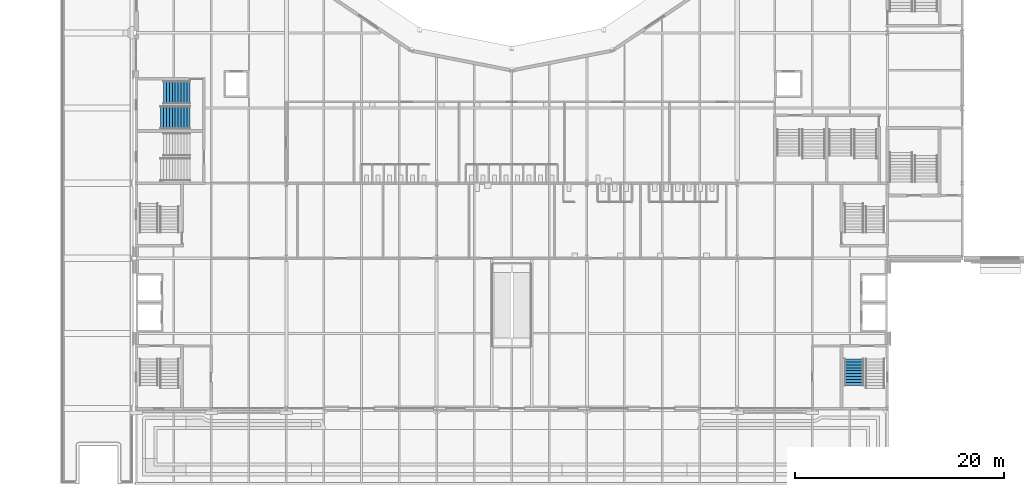
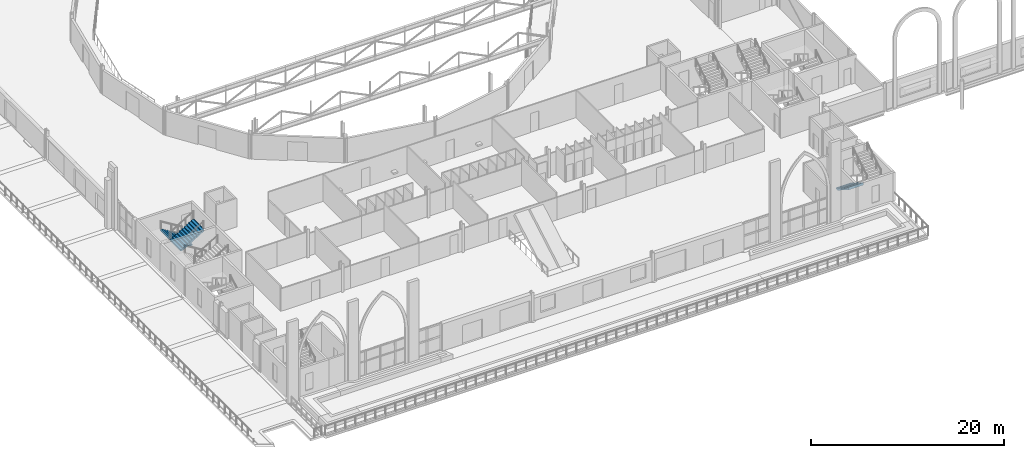
# One storey, part 90 of 143: 3 stair flights, 2 elements without a shape of their own.
"""IFC4 building model written with IfcOpenShell, lengths in metres."""

from ifc_helpers import new_model, si_unit, direction, frame, origin, place, context, subcontext, project, spatial, polyline, outline, extrude, material, type_object, element, aggregate, save


model = new_model("IFC4")

# Units and contexts
model_context = context("Model", 3, precision=1e-05, world=origin(), true_north=direction((0.0, 1.0)))
body_context = subcontext(model_context, "Body", "Model", "MODEL_VIEW")
ifc_project = project(units=[si_unit("LENGTHUNIT", "METRE"), si_unit("AREAUNIT", "SQUARE_METRE"), si_unit("VOLUMEUNIT", "CUBIC_METRE"), si_unit("PLANEANGLEUNIT", "RADIAN"), si_unit("MASSUNIT", "GRAM", prefix="KILO")], contexts=[model_context])

# Site, building, storey
site_placement = place(None, origin())
site = spatial("IfcSite", under=ifc_project, at=site_placement, CompositionType="ELEMENT")
building_placement = place(site_placement, origin())
building = spatial("IfcBuilding", under=site, at=building_placement, Name="Kupolbacken Congress Centre", CompositionType="ELEMENT")
storey_placement = place(building_placement, frame((0.0, 0.0, 7.199951171875)))
storey = spatial("IfcBuildingStorey", under=building, at=storey_placement, Name="L02", CompositionType="ELEMENT", Elevation=7.199951171875)

# Stair, stair flights
ifc_material_1 = material(Name="Concrete C30/37", Category="concrete")
stair_type_1 = type_object("IfcStairType", Name="ST13 stair 2200", PredefinedType="TWO_STRAIGHT_RUN_STAIR", material=ifc_material_1)
stair_1_placement = place(storey_placement, origin())
stair_1 = element("IfcStair", 1, at=stair_1_placement, inside=storey, type_object=stair_type_1, Name="C/stair/PS2SW/L02", PredefinedType="NOTDEFINED")
ifc_material_2 = material(Name="Concrete C30/37", Category="concrete")
stair_flight_type_1 = type_object("IfcStairFlightType", Name="FL13 stair flight 2200 x 10 risers", PredefinedType="STRAIGHT", material=ifc_material_2)
stair_flight_1_placement = place(storey_placement, frame((12.344970703125, 59.10009765625, 0.0), z_axis=(0.0, 0.0, 1.0), x_axis=(-1.0, 0.0, 0.0)))
stair_flight_1 = element("IfcStairFlight", 2, at=stair_flight_1_placement, type_object=stair_flight_type_1, Name="PS2SW flight 1", NumberOfRisers=10, NumberOfTreads=9, PredefinedType="STRAIGHT", RiserHeight=0.171428571, TreadLength=0.28, context=body_context, shape_type="SweptSolid", body=[
    extrude(outline(polyline([(0.0, 0.0), (0.0, 0.0009765625), (0.0, 0.002197265625), (0.0, 0.003173828125), (0.0, 0.004150390625), (0.0, 0.00537109375), (0.0, 0.00634765625), (0.0, 0.007568359375), (0.0, 0.008544921875), (0.0, 0.009521484375), (0.0, 0.0107421875), (0.0, 0.01171875), (0.0, 0.0126953125), (0.0, 0.013916015625), (0.0, 0.014892578125), (0.0, 0.015869140625), (0.0, 0.01708984375), (0.0, 0.01806640625), (0.0, 0.019287109375), (0.0, 0.020263671875), (0.0, 0.021240234375), (0.0, 0.0224609375), (0.0, 0.0234375), (0.0, 0.0244140625), (0.0, 0.025634765625), (0.0, 0.026611328125), (0.0, 0.027587890625), (0.0, 0.02880859375), (0.0, 0.02978515625), (0.0, 0.03076171875), (0.0, 0.031982421875), (0.0, 0.032958984375), (0.0, 0.0341796875), (0.0, 0.03515625), (0.0, 0.0361328125), (0.0, 0.037353515625), (0.0, 0.038330078125), (0.0, 0.039306640625), (0.0, 0.04052734375), (0.0, 0.04150390625), (0.0, 0.04248046875), (0.0, 0.043701171875), (0.0, 0.044677734375), (0.0, 0.0458984375), (0.0, 0.046875), (0.0, 0.0478515625), (0.0, 0.049072265625), (0.0, 0.050048828125), (0.0, 0.051025390625), (0.0, 0.05224609375), (0.0, 0.05322265625), (0.0, 0.05419921875), (0.0, 0.055419921875), (0.0, 0.056396484375), (0.0, 0.0576171875), (0.0, 0.05859375), (0.0, 0.0595703125), (0.0, 0.060791015625), (0.0, 0.061767578125), (0.0, 0.062744140625), (0.0, 0.06396484375), (0.0, 0.06494140625), (0.0, 0.06591796875), (0.0, 0.067138671875), (0.0, 0.068115234375), (0.0, 0.069091796875), (0.0, 0.0703125), (0.0, 0.0712890625), (0.0, 0.072509765625), (0.0, 0.073486328125), (0.0, 0.074462890625), (0.0, 0.07568359375), (0.0, 0.07666015625), (0.0, 0.07763671875), (0.0, 0.078857421875), (0.0, 0.079833984375), (0.0, 0.080810546875), (0.0, 0.08203125), (0.0, 0.0830078125), (0.0, 0.084228515625), (0.0, 0.085205078125), (0.0, 0.086181640625), (0.0, 0.08740234375), (0.0, 0.08837890625), (0.0, 0.08935546875), (0.0, 0.090576171875), (0.0, 0.091552734375), (0.0, 0.092529296875), (0.0, 0.09375), (0.0, 0.0947265625), (0.0, 0.095947265625), (0.0, 0.096923828125), (0.0, 0.097900390625), (0.0, 0.09912109375), (0.0, 0.10009765625), (0.0, 0.10107421875), (0.0, 0.102294921875), (0.0, 0.103271484375), (0.0, 0.104248046875), (0.0, 0.10546875), (0.0, 0.1064453125), (0.0, 0.107421875), (0.0, 0.108642578125), (0.0, 0.109619140625), (0.0, 0.11083984375), (0.0, 0.11181640625), (0.0, 0.11279296875), (0.0, 0.114013671875), (0.0, 0.114990234375), (0.0, 0.115966796875), (0.0, 0.1171875), (0.0, 0.1181640625), (0.0, 0.119140625), (0.0, 0.120361328125), (0.0, 0.121337890625), (0.0, 0.12255859375), (0.0, 0.12353515625), (0.0, 0.12451171875), (0.0, 0.125732421875), (0.0, 0.126708984375), (0.0, 0.127685546875), (0.0, 0.12890625), (0.0, 0.1298828125), (0.0, 0.130859375), (0.0, 0.132080078125), (0.0, 0.133056640625), (0.0, 0.13427734375), (0.0, 0.13525390625), (0.0, 0.13623046875), (0.0, 0.137451171875), (0.0, 0.138427734375), (0.0, 0.139404296875), (0.0, 0.140625), (0.0, 0.1416015625), (0.0, 0.142578125), (0.0, 0.143798828125), (0.0, 0.144775390625), (0.0, 0.145751953125), (0.0, 0.14697265625), (0.0, 0.14794921875), (0.0, 0.149169921875), (0.0, 0.150146484375), (0.0, 0.151123046875), (0.0, 0.15234375), (0.0, 0.1533203125), (0.0, 0.154296875), (0.0, 0.155517578125), (0.0, 0.156494140625), (0.0, 0.157470703125), (0.0, 0.15869140625), (0.0, 0.15966796875), (0.0, 0.160888671875), (0.0, 0.161865234375), (0.0, 0.162841796875), (0.0, 0.1640625), (0.0, 0.1650390625), (0.0, 0.166015625), (0.0, 0.167236328125), (0.0, 0.168212890625), (0.0, 0.169189453125), (0.0, 0.17041015625), (0.0, 0.17138671875), (0.280029296875, 0.17138671875), (0.280029296875, 0.3427734375), (0.56005859375, 0.3427734375), (0.56005859375, 0.514404296875), (0.840087890625, 0.514404296875), (0.840087890625, 0.685791015625), (1.1201171875, 0.685791015625), (1.1201171875, 0.857177734375), (1.39990234375, 0.857177734375), (1.39990234375, 1.028564453125), (1.679931640625, 1.028564453125), (1.679931640625, 1.199951171875), (1.9599609375, 1.199951171875), (1.9599609375, 1.371337890625), (2.239990234375, 1.371337890625), (2.239990234375, 1.54296875), (2.52001953125, 1.54296875), (2.52001953125, 1.71435546875), (2.52197265625, 1.71435546875), (2.52197265625, 1.712158203125), (2.52197265625, 1.7099609375), (2.52197265625, 1.707763671875), (2.52197265625, 1.70556640625), (2.52197265625, 1.70361328125), (2.52197265625, 1.701416015625), (2.52197265625, 1.69921875), (2.52197265625, 1.697021484375), (2.52197265625, 1.69482421875), (2.52197265625, 1.692626953125), (2.52197265625, 1.690673828125), (2.52197265625, 1.6884765625), (2.52197265625, 1.686279296875), (2.52197265625, 1.68408203125), (2.52197265625, 1.681884765625), (2.52197265625, 1.6796875), (2.52197265625, 1.677734375), (2.52197265625, 1.675537109375), (2.52197265625, 1.67333984375), (2.52197265625, 1.671142578125), (2.52197265625, 1.6689453125), (2.52197265625, 1.666748046875), (2.52197265625, 1.664794921875), (2.52197265625, 1.66259765625), (2.52197265625, 1.660400390625), (2.52197265625, 1.658203125), (2.52197265625, 1.656005859375), (2.52197265625, 1.65380859375), (2.52197265625, 1.65185546875), (2.52197265625, 1.649658203125), (2.52197265625, 1.6474609375), (2.52197265625, 1.645263671875), (2.52197265625, 1.64306640625), (2.52197265625, 1.640869140625), (2.52197265625, 1.638916015625), (2.52197265625, 1.63671875), (2.52197265625, 1.634521484375), (2.52197265625, 1.63232421875), (2.52197265625, 1.630126953125), (2.52197265625, 1.6279296875), (2.52197265625, 1.6259765625), (2.52197265625, 1.623779296875), (2.52197265625, 1.62158203125), (2.52197265625, 1.619384765625), (2.52197265625, 1.6171875), (2.52197265625, 1.614990234375), (2.52197265625, 1.613037109375), (2.52197265625, 1.61083984375), (2.52197265625, 1.608642578125), (2.52197265625, 1.6064453125), (2.52197265625, 1.604248046875), (2.52197265625, 1.60205078125), (2.52197265625, 1.60009765625), (2.52197265625, 1.597900390625), (2.52197265625, 1.595703125), (2.52197265625, 1.593505859375), (2.52197265625, 1.59130859375), (2.52197265625, 1.589111328125), (2.52197265625, 1.587158203125), (2.52197265625, 1.5849609375), (2.52197265625, 1.582763671875), (2.52197265625, 1.58056640625), (2.52197265625, 1.578369140625), (2.52197265625, 1.576171875), (2.52197265625, 1.57421875), (2.52197265625, 1.572021484375), (2.52197265625, 1.56982421875), (2.52197265625, 1.567626953125), (2.52197265625, 1.5654296875), (2.52197265625, 1.563232421875), (2.52197265625, 1.561279296875), (2.52197265625, 1.55908203125), (2.52197265625, 1.556884765625), (2.52197265625, 1.5546875), (2.52197265625, 1.552490234375), (2.52197265625, 1.55029296875), (2.52197265625, 1.54833984375), (2.52197265625, 1.546142578125), (2.52197265625, 1.5439453125), (2.52197265625, 1.541748046875), (2.52197265625, 1.53955078125), (2.52197265625, 1.537353515625), (2.52197265625, 1.535400390625), (2.52197265625, 1.533203125), (2.52197265625, 1.531005859375), (2.52197265625, 1.52880859375), (2.52197265625, 1.526611328125), (2.52197265625, 1.5244140625), (2.52197265625, 1.5224609375), (2.52197265625, 1.520263671875), (2.52197265625, 1.51806640625), (2.52197265625, 1.515869140625), (2.52197265625, 1.513671875), (2.52197265625, 1.511474609375), (2.52197265625, 1.509521484375), (2.52197265625, 1.50732421875), (2.52197265625, 1.505126953125), (2.52197265625, 1.5029296875), (2.52197265625, 1.500732421875), (2.52197265625, 1.49853515625), (2.52197265625, 1.49658203125), (2.52197265625, 1.494384765625), (2.52197265625, 1.4921875), (2.52197265625, 1.489990234375), (2.52197265625, 1.48779296875), (2.52197265625, 1.485595703125), (2.52197265625, 1.483642578125), (2.52197265625, 1.4814453125), (2.52197265625, 1.479248046875), (2.52197265625, 1.47705078125), (2.52197265625, 1.474853515625), (2.52197265625, 1.47265625), (2.52197265625, 1.470703125), (2.52197265625, 1.468505859375), (2.52197265625, 1.46630859375), (2.52197265625, 1.464111328125), (2.52197265625, 1.4619140625), (2.52197265625, 1.459716796875), (2.52197265625, 1.457763671875), (2.52197265625, 1.45556640625), (2.52197265625, 1.453369140625), (2.52197265625, 1.451171875), (2.52197265625, 1.448974609375), (2.52197265625, 1.44677734375), (2.52197265625, 1.44482421875), (2.52197265625, 1.442626953125), (2.52197265625, 1.4404296875), (2.52197265625, 1.438232421875), (2.52197265625, 1.43603515625), (2.52197265625, 1.433837890625), (2.52197265625, 1.431884765625), (2.52197265625, 1.4296875), (2.52197265625, 1.427490234375), (2.52197265625, 1.42529296875), (2.52197265625, 1.423095703125), (2.52197265625, 1.4208984375), (2.52197265625, 1.4189453125), (2.52197265625, 1.416748046875), (2.52197265625, 1.41455078125), (2.52197265625, 1.412353515625), (2.52197265625, 1.41015625), (2.52197265625, 1.407958984375), (2.52197265625, 1.406005859375), (2.52197265625, 1.40380859375), (2.52197265625, 1.401611328125), (2.52197265625, 1.3994140625), (2.52197265625, 1.397216796875), (2.52197265625, 1.39501953125), (2.52197265625, 1.39306640625), (2.52197265625, 1.390869140625), (2.52197265625, 1.388671875), (2.52197265625, 1.386474609375), (2.52197265625, 1.38427734375), (2.52197265625, 1.382080078125), (2.52197265625, 1.380126953125), (2.52197265625, 1.3779296875), (2.52197265625, 1.375732421875), (2.52197265625, 1.37353515625), (2.52197265625, 1.371337890625), (2.52197265625, 1.369140625), (2.52197265625, 1.3671875), (0.2890625, 0.0), (0.0, 0.0)])), frame((0.0, 1.10009765625, 0.0), z_axis=(0.0, -1.0, 0.0), x_axis=(1.0, 0.0, 0.0)), (0.0, 0.0, 1.0), 2.199951171875),
])
ifc_material_3 = material(Name="Concrete C30/37", Category="concrete")
stair_flight_type_2 = type_object("IfcStairFlightType", Name="FL14 stair flight 2200 x 11 risers", PredefinedType="STRAIGHT", material=ifc_material_3)
stair_flight_2_placement = place(storey_placement, frame((9.544921875, 56.699951171875, 1.71435546875), z_axis=(0.0, 0.0, 1.0), x_axis=(1.0, 0.0, 0.0)))
stair_flight_2 = element("IfcStairFlight", 3, at=stair_flight_2_placement, type_object=stair_flight_type_2, Name="PS2SW flight 2", NumberOfRisers=11, NumberOfTreads=10, PredefinedType="STRAIGHT", RiserHeight=0.171428571, TreadLength=0.28, context=body_context, shape_type="SweptSolid", body=[
    extrude(outline(polyline([(0.0, 0.0), (0.0, 0.0009765625), (0.0, 0.002197265625), (0.0, 0.003173828125), (0.0, 0.004150390625), (0.0, 0.00537109375), (0.0, 0.00634765625), (0.0, 0.007568359375), (0.0, 0.008544921875), (0.0, 0.009521484375), (0.0, 0.0107421875), (0.0, 0.01171875), (0.0, 0.0126953125), (0.0, 0.013916015625), (0.0, 0.014892578125), (0.0, 0.015869140625), (0.0, 0.01708984375), (0.0, 0.01806640625), (0.0, 0.019287109375), (0.0, 0.020263671875), (0.0, 0.021240234375), (0.0, 0.0224609375), (0.0, 0.0234375), (0.0, 0.0244140625), (0.0, 0.025634765625), (0.0, 0.026611328125), (0.0, 0.027587890625), (0.0, 0.02880859375), (0.0, 0.02978515625), (0.0, 0.03076171875), (0.0, 0.031982421875), (0.0, 0.032958984375), (0.0, 0.0341796875), (0.0, 0.03515625), (0.0, 0.0361328125), (0.0, 0.037353515625), (0.0, 0.038330078125), (0.0, 0.039306640625), (0.0, 0.04052734375), (0.0, 0.04150390625), (0.0, 0.04248046875), (0.0, 0.043701171875), (0.0, 0.044677734375), (0.0, 0.0458984375), (0.0, 0.046875), (0.0, 0.0478515625), (0.0, 0.049072265625), (0.0, 0.050048828125), (0.0, 0.051025390625), (0.0, 0.05224609375), (0.0, 0.05322265625), (0.0, 0.05419921875), (0.0, 0.055419921875), (0.0, 0.056396484375), (0.0, 0.0576171875), (0.0, 0.05859375), (0.0, 0.0595703125), (0.0, 0.060791015625), (0.0, 0.061767578125), (0.0, 0.062744140625), (0.0, 0.06396484375), (0.0, 0.06494140625), (0.0, 0.06591796875), (0.0, 0.067138671875), (0.0, 0.068115234375), (0.0, 0.069091796875), (0.0, 0.0703125), (0.0, 0.0712890625), (0.0, 0.072509765625), (0.0, 0.073486328125), (0.0, 0.074462890625), (0.0, 0.07568359375), (0.0, 0.07666015625), (0.0, 0.07763671875), (0.0, 0.078857421875), (0.0, 0.079833984375), (0.0, 0.080810546875), (0.0, 0.08203125), (0.0, 0.0830078125), (0.0, 0.084228515625), (0.0, 0.085205078125), (0.0, 0.086181640625), (0.0, 0.08740234375), (0.0, 0.08837890625), (0.0, 0.08935546875), (0.0, 0.090576171875), (0.0, 0.091552734375), (0.0, 0.092529296875), (0.0, 0.09375), (0.0, 0.0947265625), (0.0, 0.095947265625), (0.0, 0.096923828125), (0.0, 0.097900390625), (0.0, 0.09912109375), (0.0, 0.10009765625), (0.0, 0.10107421875), (0.0, 0.102294921875), (0.0, 0.103271484375), (0.0, 0.104248046875), (0.0, 0.10546875), (0.0, 0.1064453125), (0.0, 0.107421875), (0.0, 0.108642578125), (0.0, 0.109619140625), (0.0, 0.11083984375), (0.0, 0.11181640625), (0.0, 0.11279296875), (0.0, 0.114013671875), (0.0, 0.114990234375), (0.0, 0.115966796875), (0.0, 0.1171875), (0.0, 0.1181640625), (0.0, 0.119140625), (0.0, 0.120361328125), (0.0, 0.121337890625), (0.0, 0.12255859375), (0.0, 0.12353515625), (0.0, 0.12451171875), (0.0, 0.125732421875), (0.0, 0.126708984375), (0.0, 0.127685546875), (0.0, 0.12890625), (0.0, 0.1298828125), (0.0, 0.130859375), (0.0, 0.132080078125), (0.0, 0.133056640625), (0.0, 0.13427734375), (0.0, 0.13525390625), (0.0, 0.13623046875), (0.0, 0.137451171875), (0.0, 0.138427734375), (0.0, 0.139404296875), (0.0, 0.140625), (0.0, 0.1416015625), (0.0, 0.142578125), (0.0, 0.143798828125), (0.0, 0.144775390625), (0.0, 0.145751953125), (0.0, 0.14697265625), (0.0, 0.14794921875), (0.0, 0.149169921875), (0.0, 0.150146484375), (0.0, 0.151123046875), (0.0, 0.15234375), (0.0, 0.1533203125), (0.0, 0.154296875), (0.0, 0.155517578125), (0.0, 0.156494140625), (0.0, 0.157470703125), (0.0, 0.15869140625), (0.0, 0.15966796875), (0.0, 0.160888671875), (0.0, 0.161865234375), (0.0, 0.162841796875), (0.0, 0.1640625), (0.0, 0.1650390625), (0.0, 0.166015625), (0.0, 0.167236328125), (0.0, 0.168212890625), (0.0, 0.169189453125), (0.0, 0.17041015625), (0.0, 0.17138671875), (0.280029296875, 0.17138671875), (0.280029296875, 0.3427734375), (0.56005859375, 0.3427734375), (0.56005859375, 0.514404296875), (0.840087890625, 0.514404296875), (0.840087890625, 0.685791015625), (1.1201171875, 0.685791015625), (1.1201171875, 0.857177734375), (1.39990234375, 0.857177734375), (1.39990234375, 1.028564453125), (1.679931640625, 1.028564453125), (1.679931640625, 1.199951171875), (1.9599609375, 1.199951171875), (1.9599609375, 1.371337890625), (2.239990234375, 1.371337890625), (2.239990234375, 1.54296875), (2.52001953125, 1.54296875), (2.52001953125, 1.71435546875), (2.800048828125, 1.71435546875), (2.800048828125, 1.8857421875), (2.802001953125, 1.8857421875), (2.802001953125, 1.883544921875), (2.802001953125, 1.88134765625), (2.802001953125, 1.879150390625), (2.802001953125, 1.877197265625), (2.802001953125, 1.875), (2.802001953125, 1.872802734375), (2.802001953125, 1.87060546875), (2.802001953125, 1.868408203125), (2.802001953125, 1.8662109375), (2.802001953125, 1.8642578125), (2.802001953125, 1.862060546875), (2.802001953125, 1.85986328125), (2.802001953125, 1.857666015625), (2.802001953125, 1.85546875), (2.802001953125, 1.853271484375), (2.802001953125, 1.851318359375), (2.802001953125, 1.84912109375), (2.802001953125, 1.846923828125), (2.802001953125, 1.8447265625), (2.802001953125, 1.842529296875), (2.802001953125, 1.84033203125), (2.802001953125, 1.83837890625), (2.802001953125, 1.836181640625), (2.802001953125, 1.833984375), (2.802001953125, 1.831787109375), (2.802001953125, 1.82958984375), (2.802001953125, 1.827392578125), (2.802001953125, 1.825439453125), (2.802001953125, 1.8232421875), (2.802001953125, 1.821044921875), (2.802001953125, 1.81884765625), (2.802001953125, 1.816650390625), (2.802001953125, 1.814453125), (2.802001953125, 1.8125), (2.802001953125, 1.810302734375), (2.802001953125, 1.80810546875), (2.802001953125, 1.805908203125), (2.802001953125, 1.8037109375), (2.802001953125, 1.801513671875), (2.802001953125, 1.799560546875), (2.802001953125, 1.79736328125), (2.802001953125, 1.795166015625), (2.802001953125, 1.79296875), (2.802001953125, 1.790771484375), (2.802001953125, 1.78857421875), (2.802001953125, 1.78662109375), (2.802001953125, 1.784423828125), (2.802001953125, 1.7822265625), (2.802001953125, 1.780029296875), (2.802001953125, 1.77783203125), (2.802001953125, 1.775634765625), (2.802001953125, 1.773681640625), (2.802001953125, 1.771484375), (2.802001953125, 1.769287109375), (2.802001953125, 1.76708984375), (2.802001953125, 1.764892578125), (2.802001953125, 1.7626953125), (2.802001953125, 1.7607421875), (2.802001953125, 1.758544921875), (2.802001953125, 1.75634765625), (2.802001953125, 1.754150390625), (2.802001953125, 1.751953125), (2.802001953125, 1.749755859375), (2.802001953125, 1.747802734375), (2.802001953125, 1.74560546875), (2.802001953125, 1.743408203125), (2.802001953125, 1.7412109375), (2.802001953125, 1.739013671875), (2.802001953125, 1.73681640625), (2.802001953125, 1.73486328125), (2.802001953125, 1.732666015625), (2.802001953125, 1.73046875), (2.802001953125, 1.728271484375), (2.802001953125, 1.72607421875), (2.802001953125, 1.723876953125), (2.802001953125, 1.721923828125), (2.802001953125, 1.7197265625), (2.802001953125, 1.717529296875), (2.802001953125, 1.71533203125), (2.802001953125, 1.713134765625), (2.802001953125, 1.7109375), (2.802001953125, 1.708984375), (2.802001953125, 1.706787109375), (2.802001953125, 1.70458984375), (2.802001953125, 1.702392578125), (2.802001953125, 1.7001953125), (2.802001953125, 1.697998046875), (2.802001953125, 1.696044921875), (2.802001953125, 1.69384765625), (2.802001953125, 1.691650390625), (2.802001953125, 1.689453125), (2.802001953125, 1.687255859375), (2.802001953125, 1.68505859375), (2.802001953125, 1.68310546875), (2.802001953125, 1.680908203125), (2.802001953125, 1.6787109375), (2.802001953125, 1.676513671875), (2.802001953125, 1.67431640625), (2.802001953125, 1.672119140625), (2.802001953125, 1.670166015625), (2.802001953125, 1.66796875), (2.802001953125, 1.665771484375), (2.802001953125, 1.66357421875), (2.802001953125, 1.661376953125), (2.802001953125, 1.6591796875), (2.802001953125, 1.6572265625), (2.802001953125, 1.655029296875), (2.802001953125, 1.65283203125), (2.802001953125, 1.650634765625), (2.802001953125, 1.6484375), (2.802001953125, 1.646240234375), (2.802001953125, 1.644287109375), (2.802001953125, 1.64208984375), (2.802001953125, 1.639892578125), (2.802001953125, 1.6376953125), (2.802001953125, 1.635498046875), (2.802001953125, 1.63330078125), (2.802001953125, 1.63134765625), (2.802001953125, 1.629150390625), (2.802001953125, 1.626953125), (2.802001953125, 1.624755859375), (2.802001953125, 1.62255859375), (2.802001953125, 1.620361328125), (2.802001953125, 1.618408203125), (2.802001953125, 1.6162109375), (2.802001953125, 1.614013671875), (2.802001953125, 1.61181640625), (2.802001953125, 1.609619140625), (2.802001953125, 1.607421875), (2.802001953125, 1.60546875), (2.802001953125, 1.603271484375), (2.802001953125, 1.60107421875), (2.802001953125, 1.598876953125), (2.802001953125, 1.5966796875), (2.802001953125, 1.594482421875), (2.802001953125, 1.592529296875), (2.802001953125, 1.59033203125), (2.802001953125, 1.588134765625), (2.802001953125, 1.5859375), (2.802001953125, 1.583740234375), (2.802001953125, 1.58154296875), (2.802001953125, 1.57958984375), (2.802001953125, 1.577392578125), (2.802001953125, 1.5751953125), (2.802001953125, 1.572998046875), (2.802001953125, 1.57080078125), (2.802001953125, 1.568603515625), (2.802001953125, 1.566650390625), (2.802001953125, 1.564453125), (2.802001953125, 1.562255859375), (2.802001953125, 1.56005859375), (2.802001953125, 1.557861328125), (2.802001953125, 1.5556640625), (2.802001953125, 1.5537109375), (2.802001953125, 1.551513671875), (2.802001953125, 1.54931640625), (2.802001953125, 1.547119140625), (2.802001953125, 1.544921875), (2.802001953125, 1.542724609375), (2.802001953125, 1.540771484375), (2.802001953125, 1.53857421875), (0.2890625, 0.0), (0.0, 0.0)])), frame((0.0, 1.10009765625, 0.0), z_axis=(0.0, -1.0, 0.0), x_axis=(1.0, 0.0, 0.0)), (0.0, 0.0, 1.0), 2.199951171875),
])
aggregate(stair_1, [stair_flight_1, stair_flight_2])

# Stair, stair flight
ifc_material_4 = material(Name="Steel S355", Category="steel")
stair_type_2 = type_object("IfcStairType", Name="ST3 stair 1800", PredefinedType="TWO_STRAIGHT_RUN_STAIR", material=ifc_material_4)
stair_2_placement = place(storey_placement, origin())
stair_2 = element("IfcStair", 4, at=stair_2_placement, inside=storey, type_object=stair_type_2, Name="C/stair/FS1E/L02", PredefinedType="NOTDEFINED")
ifc_material_5 = material(Name="Steel S355", Category="steel")
stair_flight_type_3 = type_object("IfcStairFlightType", Name="FL5 stair flight 1800 x 10 risers", PredefinedType="STRAIGHT", material=ifc_material_5)
stair_flight_3_placement = place(storey_placement, frame((76.0, 33.544921875, 0.0), z_axis=(0.0, 0.0, 1.0), x_axis=(0.0, -1.0, 0.0)))
stair_flight_3 = element("IfcStairFlight", 5, at=stair_flight_3_placement, type_object=stair_flight_type_3, Name="FS1E flight 1", NumberOfRisers=10, NumberOfTreads=9, PredefinedType="STRAIGHT", RiserHeight=0.171428571, TreadLength=0.28, context=body_context, shape_type="SweptSolid", body=[
    extrude(outline(polyline([(0.0, 0.0), (0.0, 0.0009765625), (0.0, 0.002197265625), (0.0, 0.003173828125), (0.0, 0.004150390625), (0.0, 0.00537109375), (0.0, 0.00634765625), (0.0, 0.007568359375), (0.0, 0.008544921875), (0.0, 0.009521484375), (0.0, 0.0107421875), (0.0, 0.01171875), (0.0, 0.0126953125), (0.0, 0.013916015625), (0.0, 0.014892578125), (0.0, 0.015869140625), (0.0, 0.01708984375), (0.0, 0.01806640625), (0.0, 0.019287109375), (0.0, 0.020263671875), (0.0, 0.021240234375), (0.0, 0.0224609375), (0.0, 0.0234375), (0.0, 0.0244140625), (0.0, 0.025634765625), (0.0, 0.026611328125), (0.0, 0.027587890625), (0.0, 0.02880859375), (0.0, 0.02978515625), (0.0, 0.03076171875), (0.0, 0.031982421875), (0.0, 0.032958984375), (0.0, 0.0341796875), (0.0, 0.03515625), (0.0, 0.0361328125), (0.0, 0.037353515625), (0.0, 0.038330078125), (0.0, 0.039306640625), (0.0, 0.04052734375), (0.0, 0.04150390625), (0.0, 0.04248046875), (0.0, 0.043701171875), (0.0, 0.044677734375), (0.0, 0.0458984375), (0.0, 0.046875), (0.0, 0.0478515625), (0.0, 0.049072265625), (0.0, 0.050048828125), (0.0, 0.051025390625), (0.0, 0.05224609375), (0.0, 0.05322265625), (0.0, 0.05419921875), (0.0, 0.055419921875), (0.0, 0.056396484375), (0.0, 0.0576171875), (0.0, 0.05859375), (0.0, 0.0595703125), (0.0, 0.060791015625), (0.0, 0.061767578125), (0.0, 0.062744140625), (0.0, 0.06396484375), (0.0, 0.06494140625), (0.0, 0.06591796875), (0.0, 0.067138671875), (0.0, 0.068115234375), (0.0, 0.069091796875), (0.0, 0.0703125), (0.0, 0.0712890625), (0.0, 0.072509765625), (0.0, 0.073486328125), (0.0, 0.074462890625), (0.0, 0.07568359375), (0.0, 0.07666015625), (0.0, 0.07763671875), (0.0, 0.078857421875), (0.0, 0.079833984375), (0.0, 0.080810546875), (0.0, 0.08203125), (0.0, 0.0830078125), (0.0, 0.084228515625), (0.0, 0.085205078125), (0.0, 0.086181640625), (0.0, 0.08740234375), (0.0, 0.08837890625), (0.0, 0.08935546875), (0.0, 0.090576171875), (0.0, 0.091552734375), (0.0, 0.092529296875), (0.0, 0.09375), (0.0, 0.0947265625), (0.0, 0.095947265625), (0.0, 0.096923828125), (0.0, 0.097900390625), (0.0, 0.09912109375), (0.0, 0.10009765625), (0.0, 0.10107421875), (0.0, 0.102294921875), (0.0, 0.103271484375), (0.0, 0.104248046875), (0.0, 0.10546875), (0.0, 0.1064453125), (0.0, 0.107421875), (0.0, 0.108642578125), (0.0, 0.109619140625), (0.0, 0.11083984375), (0.0, 0.11181640625), (0.0, 0.11279296875), (0.0, 0.114013671875), (0.0, 0.114990234375), (0.0, 0.115966796875), (0.0, 0.1171875), (0.0, 0.1181640625), (0.0, 0.119140625), (0.0, 0.120361328125), (0.0, 0.121337890625), (0.0, 0.12255859375), (0.0, 0.12353515625), (0.0, 0.12451171875), (0.0, 0.125732421875), (0.0, 0.126708984375), (0.0, 0.127685546875), (0.0, 0.12890625), (0.0, 0.1298828125), (0.0, 0.130859375), (0.0, 0.132080078125), (0.0, 0.133056640625), (0.0, 0.13427734375), (0.0, 0.13525390625), (0.0, 0.13623046875), (0.0, 0.137451171875), (0.0, 0.138427734375), (0.0, 0.139404296875), (0.0, 0.140625), (0.0, 0.1416015625), (0.0, 0.142578125), (0.0, 0.143798828125), (0.0, 0.144775390625), (0.0, 0.145751953125), (0.0, 0.14697265625), (0.0, 0.14794921875), (0.0, 0.149169921875), (0.0, 0.150146484375), (0.0, 0.151123046875), (0.0, 0.15234375), (0.0, 0.1533203125), (0.0, 0.154296875), (0.0, 0.155517578125), (0.0, 0.156494140625), (0.0, 0.157470703125), (0.0, 0.15869140625), (0.0, 0.15966796875), (0.0, 0.160888671875), (0.0, 0.161865234375), (0.0, 0.162841796875), (0.0, 0.1640625), (0.0, 0.1650390625), (0.0, 0.166015625), (0.0, 0.167236328125), (0.0, 0.168212890625), (0.0, 0.169189453125), (0.0, 0.17041015625), (0.0, 0.17138671875), (0.280029296875, 0.17138671875), (0.280029296875, 0.3427734375), (0.56005859375, 0.3427734375), (0.56005859375, 0.514404296875), (0.840087890625, 0.514404296875), (0.840087890625, 0.685791015625), (1.1201171875, 0.685791015625), (1.1201171875, 0.857177734375), (1.39990234375, 0.857177734375), (1.39990234375, 1.028564453125), (1.679931640625, 1.028564453125), (1.679931640625, 1.199951171875), (1.9599609375, 1.199951171875), (1.9599609375, 1.371337890625), (2.239990234375, 1.371337890625), (2.239990234375, 1.54296875), (2.52001953125, 1.54296875), (2.52001953125, 1.71435546875), (2.52197265625, 1.71435546875), (2.52197265625, 1.712158203125), (2.52197265625, 1.7099609375), (2.52197265625, 1.707763671875), (2.52197265625, 1.70556640625), (2.52197265625, 1.70361328125), (2.52197265625, 1.701416015625), (2.52197265625, 1.69921875), (2.52197265625, 1.697021484375), (2.52197265625, 1.69482421875), (2.52197265625, 1.692626953125), (2.52197265625, 1.690673828125), (2.52197265625, 1.6884765625), (2.52197265625, 1.686279296875), (2.52197265625, 1.68408203125), (2.52197265625, 1.681884765625), (2.52197265625, 1.6796875), (2.52197265625, 1.677734375), (2.52197265625, 1.675537109375), (2.52197265625, 1.67333984375), (2.52197265625, 1.671142578125), (2.52197265625, 1.6689453125), (2.52197265625, 1.666748046875), (2.52197265625, 1.664794921875), (2.52197265625, 1.66259765625), (2.52197265625, 1.660400390625), (2.52197265625, 1.658203125), (2.52197265625, 1.656005859375), (2.52197265625, 1.65380859375), (2.52197265625, 1.65185546875), (2.52197265625, 1.649658203125), (2.52197265625, 1.6474609375), (2.52197265625, 1.645263671875), (2.52197265625, 1.64306640625), (2.52197265625, 1.640869140625), (2.52197265625, 1.638916015625), (2.52197265625, 1.63671875), (2.52197265625, 1.634521484375), (2.52197265625, 1.63232421875), (2.52197265625, 1.630126953125), (2.52197265625, 1.6279296875), (2.52197265625, 1.6259765625), (2.52197265625, 1.623779296875), (2.52197265625, 1.62158203125), (2.52197265625, 1.619384765625), (2.52197265625, 1.6171875), (2.52197265625, 1.614990234375), (2.52197265625, 1.613037109375), (2.52197265625, 1.61083984375), (2.52197265625, 1.608642578125), (2.52197265625, 1.6064453125), (2.52197265625, 1.604248046875), (2.52197265625, 1.60205078125), (2.52197265625, 1.60009765625), (2.52197265625, 1.597900390625), (2.52197265625, 1.595703125), (2.52197265625, 1.593505859375), (2.52197265625, 1.59130859375), (2.52197265625, 1.589111328125), (2.52197265625, 1.587158203125), (2.52197265625, 1.5849609375), (2.52197265625, 1.582763671875), (2.52197265625, 1.58056640625), (2.52197265625, 1.578369140625), (2.52197265625, 1.576171875), (2.52197265625, 1.57421875), (2.52197265625, 1.572021484375), (2.52197265625, 1.56982421875), (2.52197265625, 1.567626953125), (2.52197265625, 1.5654296875), (2.52197265625, 1.563232421875), (2.52197265625, 1.561279296875), (2.52197265625, 1.55908203125), (2.52197265625, 1.556884765625), (2.52197265625, 1.5546875), (2.52197265625, 1.552490234375), (2.52197265625, 1.55029296875), (2.52197265625, 1.54833984375), (2.52197265625, 1.546142578125), (2.52197265625, 1.5439453125), (2.52197265625, 1.541748046875), (2.52197265625, 1.53955078125), (2.52197265625, 1.537353515625), (2.52197265625, 1.535400390625), (2.52197265625, 1.533203125), (2.52197265625, 1.531005859375), (2.52197265625, 1.52880859375), (2.52197265625, 1.526611328125), (2.52197265625, 1.5244140625), (2.52197265625, 1.5224609375), (2.52197265625, 1.520263671875), (2.52197265625, 1.51806640625), (2.52197265625, 1.515869140625), (2.52197265625, 1.513671875), (2.52197265625, 1.511474609375), (2.52197265625, 1.509521484375), (2.52197265625, 1.50732421875), (2.52197265625, 1.505126953125), (2.52197265625, 1.5029296875), (2.52197265625, 1.500732421875), (2.52197265625, 1.49853515625), (2.52197265625, 1.49658203125), (2.52197265625, 1.494384765625), (2.52197265625, 1.4921875), (2.52197265625, 1.489990234375), (2.52197265625, 1.48779296875), (2.52197265625, 1.485595703125), (2.52197265625, 1.483642578125), (2.52197265625, 1.4814453125), (2.52197265625, 1.479248046875), (2.52197265625, 1.47705078125), (2.52197265625, 1.474853515625), (2.52197265625, 1.47265625), (2.52197265625, 1.470703125), (2.52197265625, 1.468505859375), (2.52197265625, 1.46630859375), (2.52197265625, 1.464111328125), (2.52197265625, 1.4619140625), (2.52197265625, 1.459716796875), (2.52197265625, 1.457763671875), (2.52197265625, 1.45556640625), (2.52197265625, 1.453369140625), (2.52197265625, 1.451171875), (2.52197265625, 1.448974609375), (2.52197265625, 1.44677734375), (2.52197265625, 1.44482421875), (2.52197265625, 1.442626953125), (2.52197265625, 1.4404296875), (2.52197265625, 1.438232421875), (2.52197265625, 1.43603515625), (2.52197265625, 1.433837890625), (2.52197265625, 1.431884765625), (2.52197265625, 1.4296875), (2.52197265625, 1.427490234375), (2.52197265625, 1.42529296875), (2.52197265625, 1.423095703125), (2.52197265625, 1.4208984375), (2.52197265625, 1.4189453125), (2.52197265625, 1.416748046875), (2.52197265625, 1.41455078125), (2.52197265625, 1.412353515625), (2.52197265625, 1.41015625), (2.52197265625, 1.407958984375), (2.52197265625, 1.406005859375), (2.52197265625, 1.40380859375), (2.52197265625, 1.401611328125), (2.52197265625, 1.3994140625), (2.52197265625, 1.397216796875), (2.52197265625, 1.39501953125), (2.52197265625, 1.39306640625), (2.52197265625, 1.390869140625), (2.52197265625, 1.388671875), (2.52197265625, 1.386474609375), (2.52197265625, 1.38427734375), (2.52197265625, 1.382080078125), (2.52197265625, 1.380126953125), (2.52197265625, 1.3779296875), (2.52197265625, 1.375732421875), (2.52197265625, 1.37353515625), (2.52197265625, 1.371337890625), (2.52197265625, 1.369140625), (2.52197265625, 1.3671875), (0.2890625, 0.0), (0.0, 0.0)])), frame((0.0, 0.89990234375, 0.0), z_axis=(0.0, -1.0, 0.0), x_axis=(1.0, 0.0, 0.0)), (0.0, 0.0, 1.0), 1.800048828125),
])
aggregate(stair_2, [stair_flight_3])

save(model, "model.ifc")
